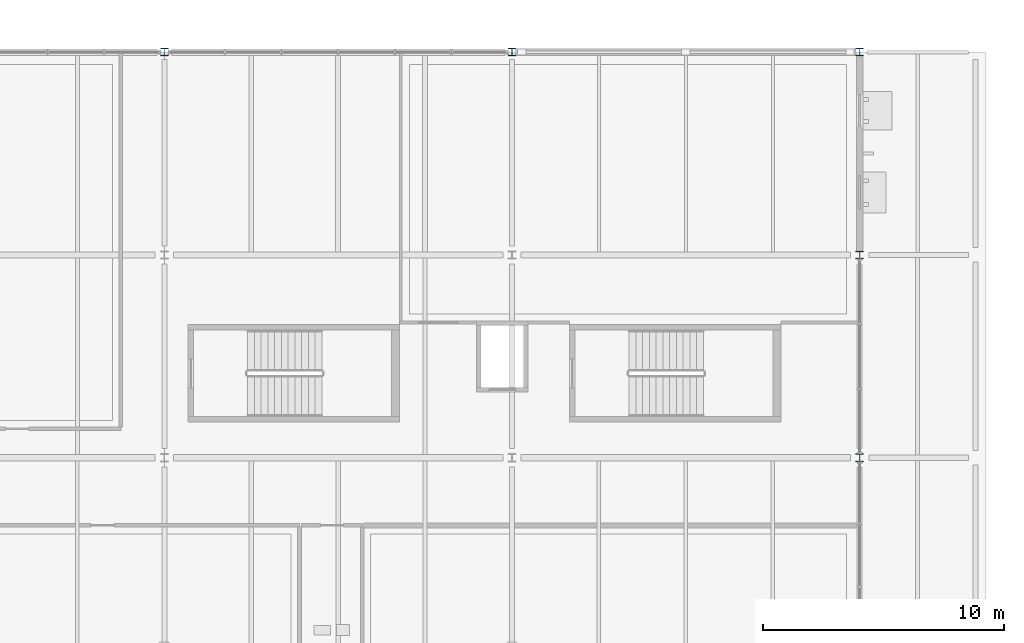
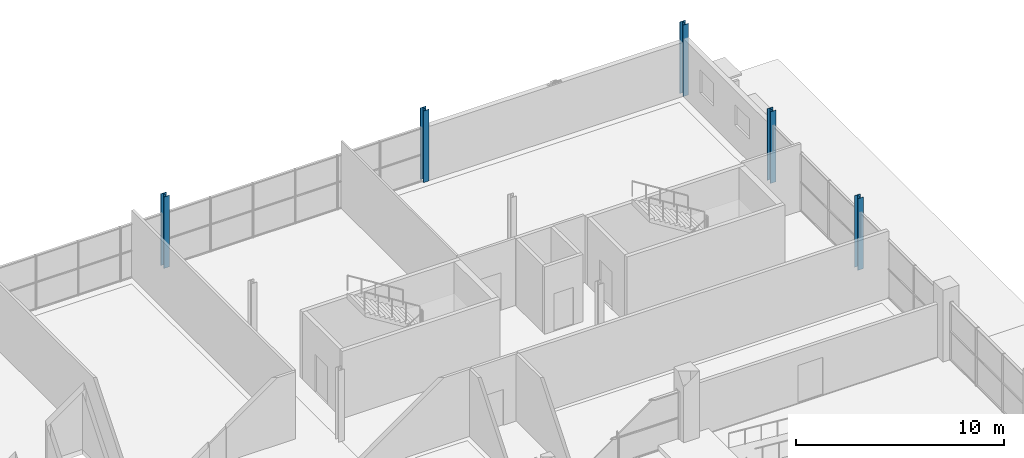
# One storey, part 11 of 161: 5 columns.
"""IFC4 building model written with IfcOpenShell, lengths in metres."""

import ifcopenshell
import ifcopenshell.guid

model = None  # the IFC model being written
_history = None  # IfcOwnerHistory: only IFC2X3 demands one
_inside = {}  # id of a spatial element -> (the spatial element, [elements in it])
_under = {}  # id of a project, library or spatial element -> (it, [spatial elements below it])
_declared = {}  # id of a project -> (the project, [libraries it declares])
_typed = {}  # id of a type object -> (the type object, [elements of that type])
_made_of = {}  # id of a material, layer set ... -> (it, [elements and type objects made of it])


def new_model(schema):
    """Start an empty IFC model of exactly this schema.

    Asked for "IFC4X3", IfcOpenShell would pick the latest addendum, in which some entities
    have other attributes; the version numbers below select the first issue.
    IFC2X3 requires an IfcOwnerHistory on every rooted entity: one is made here for all.
    """
    global model, _history
    if schema == "IFC4X3":
        model = ifcopenshell.file(schema_version=(4, 3, 0, 0))
    else:
        model = ifcopenshell.file(schema=schema)
    _inside.clear()
    _under.clear()
    _declared.clear()
    _typed.clear()
    _made_of.clear()
    _history = None
    if model.schema == "IFC2X3":
        org = make("IfcOrganization", Name="unknown")
        user = make(
            "IfcPersonAndOrganization",
            ThePerson=make("IfcPerson", FamilyName="unknown"),
            TheOrganization=org,
        )
        app = make(
            "IfcApplication",
            ApplicationDeveloper=org,
            Version="unknown",
            ApplicationFullName="unknown",
            ApplicationIdentifier="unknown",
        )
        _history = make(
            "IfcOwnerHistory",
            OwningUser=user,
            OwningApplication=app,
            ChangeAction="ADDED",
            CreationDate=0,
        )
    return model


def make(cls, **values):
    """One entity of the class cls with the attributes given. An attribute that is None is left unset."""
    return model.create_entity(
        cls, **{name: value for name, value in values.items() if value is not None}
    )


def rooted(cls, **values):
    """An entity with a GlobalId (a new one), such as an element, a storey or a relation."""
    return make(cls, GlobalId=ifcopenshell.guid.new(), OwnerHistory=_history, **values)


def si_unit(unit_type, name, prefix=None):
    """IfcSIUnit, for example si_unit("LENGTHUNIT", "METRE", prefix="MILLI")."""
    return make("IfcSIUnit", UnitType=unit_type, Prefix=prefix, Name=name)


def assignment(units):
    """IfcUnitAssignment: the units of a project."""
    return None if units is None else make("IfcUnitAssignment", Units=units)


def point(xyz):
    """IfcCartesianPoint."""
    return None if xyz is None else make("IfcCartesianPoint", Coordinates=xyz)


def direction(xyz):
    """IfcDirection."""
    return None if xyz is None else make("IfcDirection", DirectionRatios=xyz)


def frame(location, z_axis=None, x_axis=None):
    """IfcAxis2Placement3D, a coordinate frame: its origin and axes. An axis left out is left unset."""
    return make(
        "IfcAxis2Placement3D",
        Location=point(location),
        Axis=direction(z_axis),
        RefDirection=direction(x_axis),
    )


def frame_2d(location, x_axis=None):
    """IfcAxis2Placement2D, a coordinate frame in the plane: its origin and x axis."""
    return make(
        "IfcAxis2Placement2D", Location=point(location), RefDirection=direction(x_axis)
    )


def origin():
    """The frame at (0, 0, 0) with its axes left unset."""
    return frame((0.0, 0.0, 0.0))


def origin_2d():
    """The frame at (0, 0) in the plane with its x axis left unset."""
    return frame_2d((0.0, 0.0))


def place(relative_to, where):
    """IfcLocalPlacement: puts the frame where relative to a parent placement (None: the world)."""
    return make(
        "IfcLocalPlacement", PlacementRelTo=relative_to, RelativePlacement=where
    )


def context(
    kind, dimensions, precision=None, world=None, true_north=None, identifier=None
):
    """IfcGeometricRepresentationContext, for example the 3D "Model" context."""
    return make(
        "IfcGeometricRepresentationContext",
        ContextIdentifier=identifier,
        ContextType=kind,
        CoordinateSpaceDimension=dimensions,
        Precision=precision,
        WorldCoordinateSystem=world,
        TrueNorth=true_north,
    )


def subcontext(parent, identifier, kind, view, scale=None):
    """IfcGeometricRepresentationSubContext, for example "Body" below "Model"."""
    return make(
        "IfcGeometricRepresentationSubContext",
        ContextIdentifier=identifier,
        ContextType=kind,
        ParentContext=parent,
        TargetScale=scale,
        TargetView=view,
    )


def project(units=None, contexts=None):
    """IfcProject with its units and contexts."""
    return rooted(
        "IfcProject",
        Name="project",
        RepresentationContexts=contexts,
        UnitsInContext=assignment(units),
    )


def spatial(cls, under=None, at=None, **own):
    """A site, building, storey or space (cls), placed at a placement, below another one or the project."""
    s = rooted(cls, ObjectPlacement=at, **own)
    if under is not None:
        _under.setdefault(under.id(), (under, []))[1].append(s)
    return s


def profile(cls, at=None, kind="AREA", **sizes):
    """A parametric profile (cls). Its sizes go by their IFC names, for example OverallWidth=200.0."""
    return make(cls, ProfileType=kind, Position=at, **sizes)


def i_section(**sizes):
    """IfcIShapeProfileDef."""
    return profile("IfcIShapeProfileDef", **sizes)


def extrude(swept, where, along, depth):
    """IfcExtrudedAreaSolid: the profile swept, set in the frame where, extruded along a direction by depth."""
    return make(
        "IfcExtrudedAreaSolid",
        SweptArea=swept,
        Position=where,
        ExtrudedDirection=direction(along),
        Depth=depth,
    )


def shape(context_of_items, identifier, shape_type, items):
    """IfcShapeRepresentation: the items that make up one representation, for example the "Body"."""
    return make(
        "IfcShapeRepresentation",
        ContextOfItems=context_of_items,
        RepresentationIdentifier=identifier,
        RepresentationType=shape_type,
        Items=items,
    )


def material(Name=None, Category=None):
    """IfcMaterial."""
    return make("IfcMaterial", Name=Name, Category=Category)


def material_profile(
    of_material, cross_section, Name=None, Category=None, Priority=None
):
    """IfcMaterialProfile: a cross section and its material."""
    return make(
        "IfcMaterialProfile",
        Name=Name,
        Material=of_material,
        Profile=cross_section,
        Priority=Priority,
        Category=Category,
    )


def profile_set(profiles, Name=None, composite=None):
    """IfcMaterialProfileSet."""
    return make(
        "IfcMaterialProfileSet",
        Name=Name,
        MaterialProfiles=profiles,
        CompositeProfile=composite,
    )


def made_of(thing, what):
    """Note that an element or type object is made of a material, layer set ...; save() writes the relation."""
    if what is not None:
        _made_of.setdefault(what.id(), (what, []))[1].append(thing)
    return thing


def type_object(cls, material=None, **own):
    """A type object (cls), such as IfcWallType, which elements share."""
    return made_of(rooted(cls, **own), material)


def element(
    cls,
    number,
    at=None,
    inside=None,
    cuts=None,
    type_object=None,
    material=None,
    context=None,
    identifier="Body",
    shape_type=None,
    held_by="IfcProductDefinitionShape",
    body=None,
    shapes=None,
    **own,
):
    """One element of the class cls, such as IfcWall. Its Tag is "e" and its number.

    at: its placement. inside: the storey or other place that contains it. cuts: it is an
    opening in that element (IfcRelVoidsElement). A single representation is given by context,
    identifier, shape_type and body (its items); several are given by shapes. held_by: the class
    of the entity that holds the representations. save() writes the other relations.
    """
    e = rooted(cls, Tag="e%d" % number, ObjectPlacement=at, **own)
    if body is not None:
        shapes = [shape(context, identifier, shape_type, body)]
    if shapes is not None:
        e.Representation = make(held_by, Representations=shapes)
    if inside is not None:
        _inside.setdefault(inside.id(), (inside, []))[1].append(e)
    if cuts is not None:
        rooted(
            "IfcRelVoidsElement", RelatingBuildingElement=cuts, RelatedOpeningElement=e
        )
    if type_object is not None:
        _typed.setdefault(type_object.id(), (type_object, []))[1].append(e)
    return made_of(e, material)


def aggregate(whole, parts):
    """IfcRelAggregates: a whole, such as a stair, and the parts it consists of."""
    return rooted("IfcRelAggregates", RelatingObject=whole, RelatedObjects=parts)


def save(model, path):
    """Write the relations noted so far, then the file.

    IfcRelAggregates (storeys below a building ...), IfcRelContainedInSpatialStructure (elements
    in a storey), IfcRelDefinesByType, IfcRelAssociatesMaterial and IfcRelDeclares: one each for
    every whole, place, type object, material and project.
    """
    for whole, parts in _under.values():
        aggregate(whole, parts)
    for where, things in _inside.values():
        rooted(
            "IfcRelContainedInSpatialStructure",
            RelatedElements=things,
            RelatingStructure=where,
        )
    for kind, things in _typed.values():
        rooted("IfcRelDefinesByType", RelatedObjects=things, RelatingType=kind)
    for what, things in _made_of.values():
        rooted("IfcRelAssociatesMaterial", RelatedObjects=things, RelatingMaterial=what)
    for by, libraries in _declared.values():
        rooted("IfcRelDeclares", RelatingContext=by, RelatedDefinitions=libraries)
    model.write(path)


model = new_model("IFC4")

# Units and contexts
model_context = context("Model", 3, precision=1e-05, world=origin(), true_north=direction((0.0, 1.0)))
body_context = subcontext(model_context, "Body", "Model", "MODEL_VIEW")
ifc_project = project(units=[si_unit("LENGTHUNIT", "METRE"), si_unit("AREAUNIT", "SQUARE_METRE"), si_unit("VOLUMEUNIT", "CUBIC_METRE"), si_unit("PLANEANGLEUNIT", "RADIAN"), si_unit("MASSUNIT", "GRAM", prefix="KILO"), si_unit("THERMODYNAMICTEMPERATUREUNIT", "KELVIN")], contexts=[model_context])

# Site, building, storey
site_placement = place(None, origin())
site = spatial("IfcSite", under=ifc_project, at=site_placement, CompositionType="ELEMENT")
building_placement = place(site_placement, origin())
building = spatial("IfcBuilding", under=site, at=building_placement, Name="Nduvali Passage Aquatics Centre", CompositionType="ELEMENT")
storey_placement = place(building_placement, frame((0.0, 0.0, 4.800048828125)))
storey = spatial("IfcBuildingStorey", under=building, at=storey_placement, Name="L01", CompositionType="ELEMENT", Elevation=4.800048828125)

# Columns
ifc_material = material(Name="Steel S355", Category="steel")
ifc_material_profile = material_profile(ifc_material, i_section(OverallWidth=0.30908203125, OverallDepth=0.320556640625, WebThickness=0.013916015625, FlangeThickness=0.021728515625, FilletRadius=0.01513671875, at=origin_2d()), Name="UKC 305x305x137")
ifc_profile_set = profile_set([ifc_material_profile], Name="Steel S355")
column_type = type_object("IfcColumnType", Name="STR-COL-UKC305-EXT", PredefinedType="COLUMN", material=ifc_profile_set)
for number, where, z_axis, x_axis, name in (
    (1, (97.199951171875, 117.60009765625, 0.0), (0.0, 0.0, 1.0), (1.0, 0.0, 0.0), "L01 Column C6E (97.2, 117.6)"),
    (2, (111.60009765625, 117.60009765625, 0.0), (0.0, 0.0, 1.0), (1.0, 0.0, 0.0), "L01 Column C6E (111.6, 117.6)"),
    (3, (126.0, 100.800048828125, 0.0), (0.0, 0.0, 1.0), (1.0, 0.0, 0.0), "L01 Column C6E (126.0, 100.8)"),
    (4, (126.0, 109.199951171875, 0.0), (0.0, 0.0, 1.0), (1.0, 0.0, 0.0), "L01 Column C6E (126.0, 109.2)"),
    (5, (126.0, 117.60009765625, 0.0), (0.0, 0.0, 1.0), (1.0, 0.0, 0.0), "L01 Column C6E (126.0, 117.6)"),
):
    element("IfcColumn", number, at=place(storey_placement, frame(where, z_axis=z_axis, x_axis=x_axis)), inside=storey, type_object=column_type, Name=name, PredefinedType="COLUMN", context=body_context, shape_type="SweptSolid", body=[
        extrude(i_section(OverallWidth=0.30908203125, OverallDepth=0.320556640625, WebThickness=0.013916015625, FlangeThickness=0.021728515625, FilletRadius=0.01513671875, at=origin_2d()), origin(), (0.0, 0.0, 1.0), 4.199951171875),
    ])

save(model, "model.ifc")
